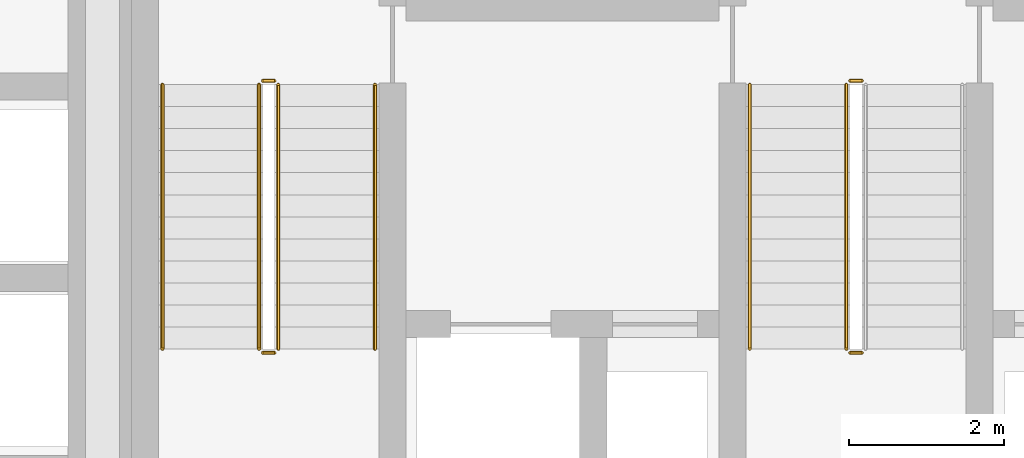
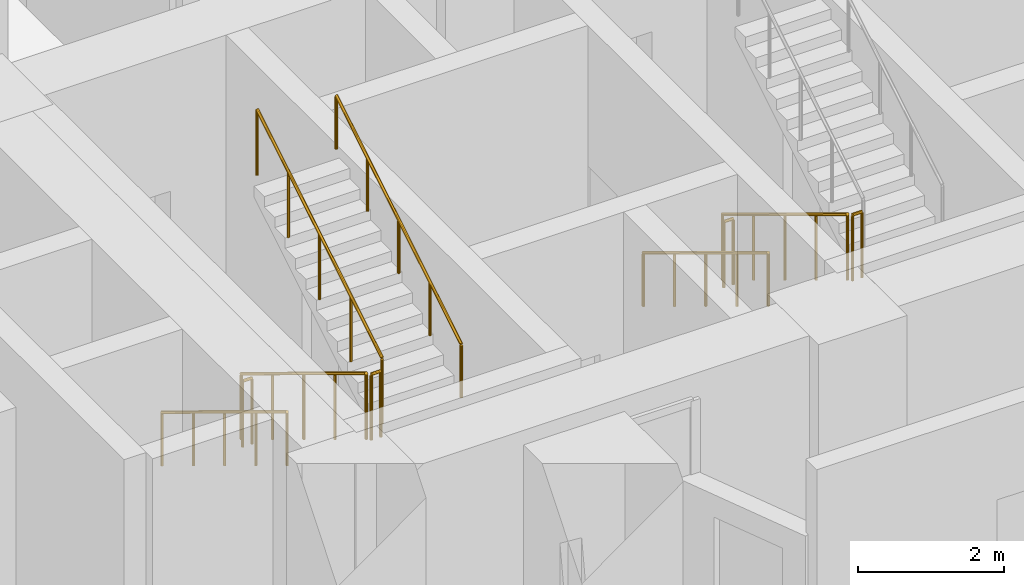
# One storey, part 12 of 15: 10 railings.
"""IFC4 building model written with IfcOpenShell, lengths in metres."""

from ifc_helpers import new_model, si_unit, direction, frame, origin, origin_2d, place, context, subcontext, project, spatial, circle, extrude, material, type_object, element, save


model = new_model("IFC4")

# Units and contexts
model_context = context("Model", 3, precision=1e-05, world=origin(), true_north=direction((0.0, 1.0)))
body_context = subcontext(model_context, "Body", "Model", "MODEL_VIEW")
ifc_project = project(units=[si_unit("LENGTHUNIT", "METRE"), si_unit("AREAUNIT", "SQUARE_METRE"), si_unit("VOLUMEUNIT", "CUBIC_METRE"), si_unit("PLANEANGLEUNIT", "RADIAN"), si_unit("MASSUNIT", "GRAM", prefix="KILO")], contexts=[model_context])

# Site, building, storey
site_placement = place(None, origin())
site = spatial("IfcSite", under=ifc_project, at=site_placement, CompositionType="ELEMENT")
building_placement = place(site_placement, origin())
building = spatial("IfcBuilding", under=site, at=building_placement, Name="Almagre Mirador Tower", CompositionType="ELEMENT")
storey_placement = place(building_placement, frame((0.0, 0.0, 8.39990234375)))
storey = spatial("IfcBuildingStorey", under=building, at=storey_placement, Name="L01", CompositionType="ELEMENT", Elevation=8.39990234375)

# Railings
ifc_material_1 = material(Name="Painted galvanized steel", Category="steel")
railing_type_1 = type_object("IfcRailingType", Name="RLG-GRD-1100", PredefinedType="GUARDRAIL", material=ifc_material_1)
railing_1_placement = place(storey_placement, frame((29.574951171875, 11.199951171875, 0.173095703125)))
element("IfcRailing", 1, at=railing_1_placement, inside=storey, type_object=railing_type_1, Name="L01 ST-1 stair guard 1", PredefinedType="GUARDRAIL", context=body_context, shape_type="SweptSolid", body=[
    extrude(circle(Radius=0.02392578125, at=origin_2d()), frame((0.0, 0.0, 1.09619140625), z_axis=(0.0, -0.854729506542, 0.519073665916), x_axis=(1.0, 0.0, 0.0)), (0.0, 0.0, 1.0), 4.001220703125),
    extrude(circle(Radius=0.02099609375, at=origin_2d()), origin(), (0.0, 0.0, 1.0), 1.072021484375),
    extrude(circle(Radius=0.02099609375, at=origin_2d()), frame((0.0, -0.85498046875, 0.519287109375)), (0.0, 0.0, 1.0), 1.072021484375),
    extrude(circle(Radius=0.02099609375, at=origin_2d()), frame((0.0, -1.7099609375, 1.03857421875)), (0.0, 0.0, 1.0), 1.072021484375),
    extrude(circle(Radius=0.02099609375, at=origin_2d()), frame((0.0, -2.56494140625, 1.5576171875)), (0.0, 0.0, 1.0), 1.072021484375),
    extrude(circle(Radius=0.02099609375, at=origin_2d()), frame((0.0, -3.419921875, 2.076904296875)), (0.0, 0.0, 1.0), 1.072021484375),
])
railing_2_placement = place(storey_placement, frame((29.625, 7.72998046875, 2.25)))
element("IfcRailing", 2, at=railing_2_placement, inside=storey, type_object=railing_type_1, Name="L01 ST-1 stair guard 2", PredefinedType="GUARDRAIL", context=body_context, shape_type="SweptSolid", body=[
    extrude(circle(Radius=0.02392578125, at=origin_2d()), frame((0.0, 0.0, 1.09619140625), z_axis=(1.0, 0.0, 0.0), x_axis=(0.0, 1.0, 0.0)), (0.0, 0.0, 1.0), 0.14990234375),
    extrude(circle(Radius=0.02099609375, at=origin_2d()), origin(), (0.0, 0.0, 1.0), 1.072021484375),
    extrude(circle(Radius=0.02099609375, at=origin_2d()), frame((0.14990234375, 0.0, 0.0)), (0.0, 0.0, 1.0), 1.072021484375),
])
railing_3_placement = place(storey_placement, frame((29.824951171875, 7.780029296875, 2.423095703125)))
element("IfcRailing", 3, at=railing_3_placement, inside=storey, type_object=railing_type_1, Name="L01 ST-1 stair guard 3", PredefinedType="GUARDRAIL", context=body_context, shape_type="SweptSolid", body=[
    extrude(circle(Radius=0.02392578125, at=origin_2d()), frame((0.0, 0.0, 1.09619140625), z_axis=(0.0, 0.854729506542, 0.519073665916), x_axis=(-1.0, 0.0, 0.0)), (0.0, 0.0, 1.0), 4.001220703125),
    extrude(circle(Radius=0.02099609375, at=origin_2d()), origin(), (0.0, 0.0, 1.0), 1.072021484375),
    extrude(circle(Radius=0.02099609375, at=origin_2d()), frame((0.0, 0.85498046875, 0.519287109375)), (0.0, 0.0, 1.0), 1.072021484375),
    extrude(circle(Radius=0.02099609375, at=origin_2d()), frame((0.0, 1.7099609375, 1.03857421875)), (0.0, 0.0, 1.0), 1.072021484375),
    extrude(circle(Radius=0.02099609375, at=origin_2d()), frame((0.0, 2.56494140625, 1.5576171875)), (0.0, 0.0, 1.0), 1.072021484375),
    extrude(circle(Radius=0.02099609375, at=origin_2d()), frame((0.0, 3.419921875, 2.076904296875)), (0.0, 0.0, 1.0), 1.072021484375),
])
railing_4_placement = place(storey_placement, frame((29.625, 11.25, 0.0)))
element("IfcRailing", 4, at=railing_4_placement, inside=storey, type_object=railing_type_1, Name="L01 ST-1 stair guard 4", PredefinedType="GUARDRAIL", context=body_context, shape_type="SweptSolid", body=[
    extrude(circle(Radius=0.02392578125, at=origin_2d()), frame((0.0, 0.0, 1.09619140625), z_axis=(1.0, 0.0, 0.0), x_axis=(0.0, 1.0, 0.0)), (0.0, 0.0, 1.0), 0.14990234375),
    extrude(circle(Radius=0.02099609375, at=origin_2d()), origin(), (0.0, 0.0, 1.0), 1.072021484375),
    extrude(circle(Radius=0.02099609375, at=origin_2d()), frame((0.14990234375, 0.0, 0.0)), (0.0, 0.0, 1.0), 1.072021484375),
])
railing_5_placement = place(storey_placement, frame((37.175048828125, 11.199951171875, 0.173095703125)))
element("IfcRailing", 5, at=railing_5_placement, inside=storey, type_object=railing_type_1, Name="L01 ST-2 stair guard 1", PredefinedType="GUARDRAIL", context=body_context, shape_type="SweptSolid", body=[
    extrude(circle(Radius=0.02392578125, at=origin_2d()), frame((0.0, 0.0, 1.09619140625), z_axis=(0.0, -0.854729506542, 0.519073665916), x_axis=(1.0, 0.0, 0.0)), (0.0, 0.0, 1.0), 4.001220703125),
    extrude(circle(Radius=0.02099609375, at=origin_2d()), origin(), (0.0, 0.0, 1.0), 1.072021484375),
    extrude(circle(Radius=0.02099609375, at=origin_2d()), frame((0.0, -0.85498046875, 0.519287109375)), (0.0, 0.0, 1.0), 1.072021484375),
    extrude(circle(Radius=0.02099609375, at=origin_2d()), frame((0.0, -1.7099609375, 1.03857421875)), (0.0, 0.0, 1.0), 1.072021484375),
    extrude(circle(Radius=0.02099609375, at=origin_2d()), frame((0.0, -2.56494140625, 1.5576171875)), (0.0, 0.0, 1.0), 1.072021484375),
    extrude(circle(Radius=0.02099609375, at=origin_2d()), frame((0.0, -3.419921875, 2.076904296875)), (0.0, 0.0, 1.0), 1.072021484375),
])
for number, where, name in (
    (6, (37.22509765625, 7.72998046875, 2.25), "L01 ST-2 stair guard 2"),
    (7, (37.22509765625, 11.25, 0.0), "L01 ST-2 stair guard 4"),
):
    element("IfcRailing", number, at=place(storey_placement, frame(where)), inside=storey, type_object=railing_type_1, Name=name, PredefinedType="GUARDRAIL", context=body_context, shape_type="SweptSolid", body=[
        extrude(circle(Radius=0.02392578125, at=origin_2d()), frame((0.0, 0.0, 1.09619140625), z_axis=(1.0, 0.0, 0.0), x_axis=(0.0, 1.0, 0.0)), (0.0, 0.0, 1.0), 0.14990234375),
        extrude(circle(Radius=0.02099609375, at=origin_2d()), origin(), (0.0, 0.0, 1.0), 1.072021484375),
        extrude(circle(Radius=0.02099609375, at=origin_2d()), frame((0.14990234375, 0.0, 0.0)), (0.0, 0.0, 1.0), 1.072021484375),
    ])
ifc_material_2 = material(Name="Brushed stainless steel", Category="steel")
railing_type_2 = type_object("IfcRailingType", Name="RLG-HND-915", PredefinedType="HANDRAIL", material=ifc_material_2)
railing_6_placement = place(storey_placement, frame((28.324951171875, 11.199951171875, 0.173095703125)))
element("IfcRailing", 8, at=railing_6_placement, inside=storey, type_object=railing_type_2, Name="L01 ST-1 stair handrail 1", PredefinedType="HANDRAIL", context=body_context, shape_type="SweptSolid", body=[
    extrude(circle(Radius=0.02392578125, at=origin_2d()), frame((0.0, 0.0, 0.89111328125), z_axis=(0.0, -0.854729506542, 0.519073665916), x_axis=(1.0, 0.0, 0.0)), (0.0, 0.0, 1.0), 4.001220703125),
    extrude(circle(Radius=0.02099609375, at=origin_2d()), origin(), (0.0, 0.0, 1.0), 0.866943359375),
    extrude(circle(Radius=0.02099609375, at=origin_2d()), frame((0.0, -0.85498046875, 0.519287109375)), (0.0, 0.0, 1.0), 0.866943359375),
    extrude(circle(Radius=0.02099609375, at=origin_2d()), frame((0.0, -1.7099609375, 1.03857421875)), (0.0, 0.0, 1.0), 0.866943359375),
    extrude(circle(Radius=0.02099609375, at=origin_2d()), frame((0.0, -2.56494140625, 1.5576171875)), (0.0, 0.0, 1.0), 0.866943359375),
    extrude(circle(Radius=0.02099609375, at=origin_2d()), frame((0.0, -3.419921875, 2.076904296875)), (0.0, 0.0, 1.0), 0.866943359375),
])
railing_7_placement = place(storey_placement, frame((31.074951171875, 7.780029296875, 2.423095703125)))
element("IfcRailing", 9, at=railing_7_placement, inside=storey, type_object=railing_type_2, Name="L01 ST-1 stair handrail 2", PredefinedType="HANDRAIL", context=body_context, shape_type="SweptSolid", body=[
    extrude(circle(Radius=0.02392578125, at=origin_2d()), frame((0.0, 0.0, 0.89111328125), z_axis=(0.0, 0.854729506542, 0.519073665916), x_axis=(-1.0, 0.0, 0.0)), (0.0, 0.0, 1.0), 4.001220703125),
    extrude(circle(Radius=0.02099609375, at=origin_2d()), origin(), (0.0, 0.0, 1.0), 0.866943359375),
    extrude(circle(Radius=0.02099609375, at=origin_2d()), frame((0.0, 0.85498046875, 0.519287109375)), (0.0, 0.0, 1.0), 0.866943359375),
    extrude(circle(Radius=0.02099609375, at=origin_2d()), frame((0.0, 1.7099609375, 1.03857421875)), (0.0, 0.0, 1.0), 0.866943359375),
    extrude(circle(Radius=0.02099609375, at=origin_2d()), frame((0.0, 2.56494140625, 1.5576171875)), (0.0, 0.0, 1.0), 0.866943359375),
    extrude(circle(Radius=0.02099609375, at=origin_2d()), frame((0.0, 3.419921875, 2.076904296875)), (0.0, 0.0, 1.0), 0.866943359375),
])
railing_8_placement = place(storey_placement, frame((35.925048828125, 11.199951171875, 0.173095703125)))
element("IfcRailing", 10, at=railing_8_placement, inside=storey, type_object=railing_type_2, Name="L01 ST-2 stair handrail 1", PredefinedType="HANDRAIL", context=body_context, shape_type="SweptSolid", body=[
    extrude(circle(Radius=0.02392578125, at=origin_2d()), frame((0.0, 0.0, 0.89111328125), z_axis=(0.0, -0.854729506542, 0.519073665916), x_axis=(1.0, 0.0, 0.0)), (0.0, 0.0, 1.0), 4.001220703125),
    extrude(circle(Radius=0.02099609375, at=origin_2d()), origin(), (0.0, 0.0, 1.0), 0.866943359375),
    extrude(circle(Radius=0.02099609375, at=origin_2d()), frame((0.0, -0.85498046875, 0.519287109375)), (0.0, 0.0, 1.0), 0.866943359375),
    extrude(circle(Radius=0.02099609375, at=origin_2d()), frame((0.0, -1.7099609375, 1.03857421875)), (0.0, 0.0, 1.0), 0.866943359375),
    extrude(circle(Radius=0.02099609375, at=origin_2d()), frame((0.0, -2.56494140625, 1.5576171875)), (0.0, 0.0, 1.0), 0.866943359375),
    extrude(circle(Radius=0.02099609375, at=origin_2d()), frame((0.0, -3.419921875, 2.076904296875)), (0.0, 0.0, 1.0), 0.866943359375),
])

save(model, "model.ifc")
